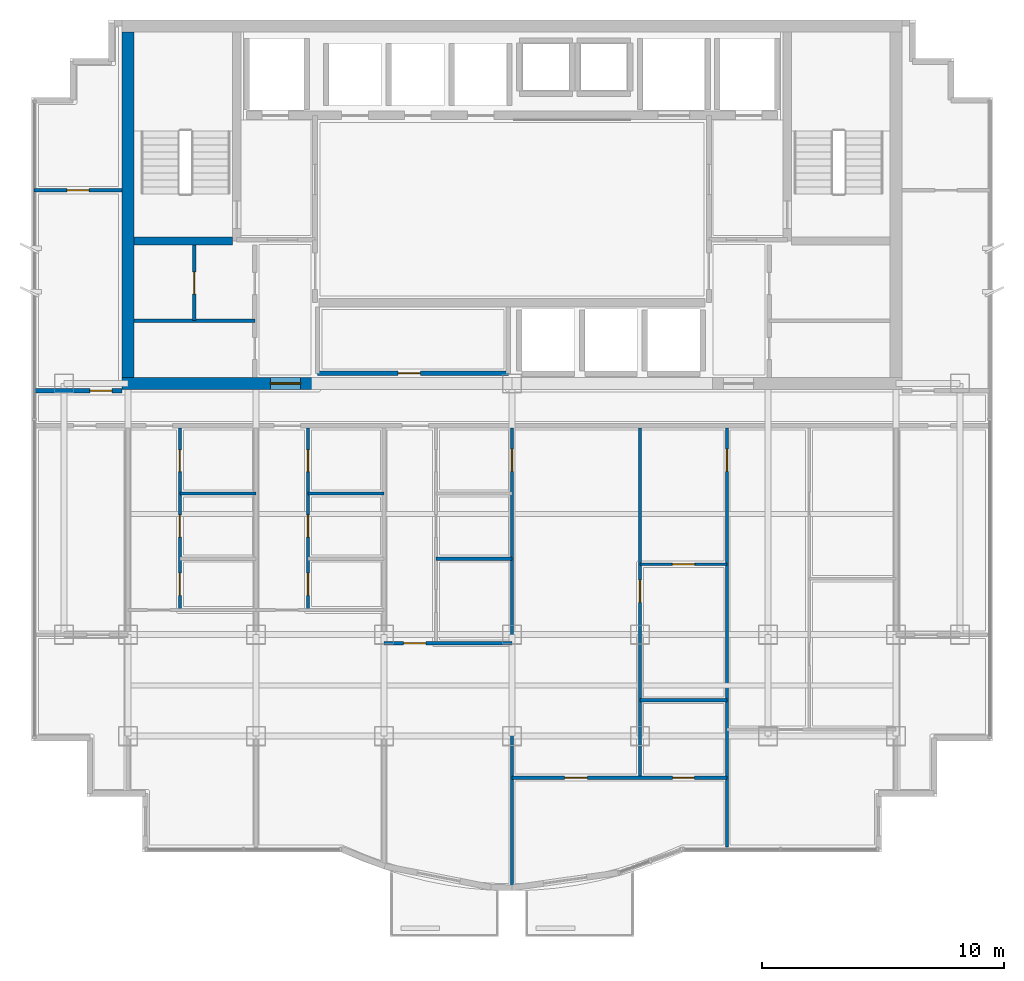
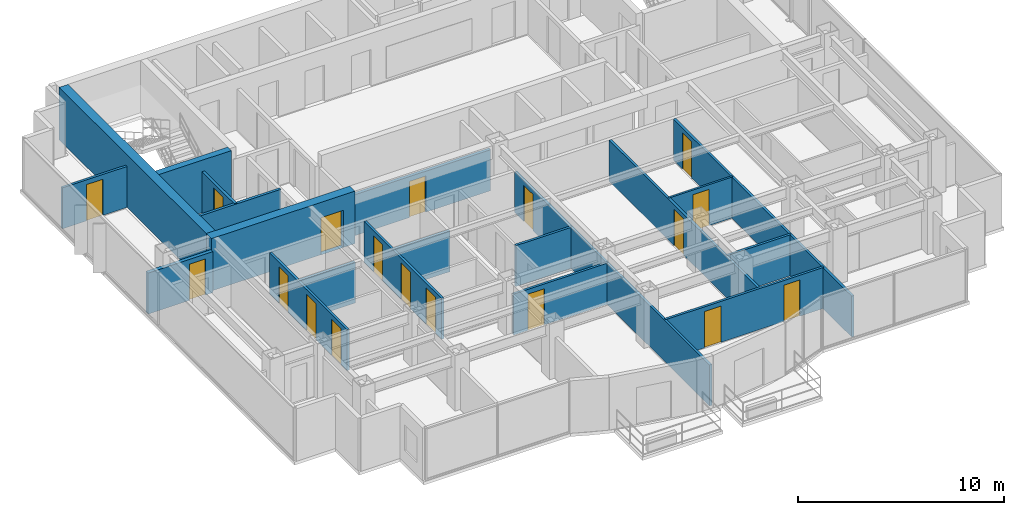
# One storey, part 7 of 12: 20 walls, 18 doors, 18 openings.
"""IFC4 building model written with IfcOpenShell, lengths in metres."""

import ifcopenshell
import ifcopenshell.guid

model = None  # the IFC model being written
_history = None  # IfcOwnerHistory: only IFC2X3 demands one
_inside = {}  # id of a spatial element -> (the spatial element, [elements in it])
_under = {}  # id of a project, library or spatial element -> (it, [spatial elements below it])
_declared = {}  # id of a project -> (the project, [libraries it declares])
_typed = {}  # id of a type object -> (the type object, [elements of that type])
_made_of = {}  # id of a material, layer set ... -> (it, [elements and type objects made of it])


def new_model(schema):
    """Start an empty IFC model of exactly this schema.

    Asked for "IFC4X3", IfcOpenShell would pick the latest addendum, in which some entities
    have other attributes; the version numbers below select the first issue.
    IFC2X3 requires an IfcOwnerHistory on every rooted entity: one is made here for all.
    """
    global model, _history
    if schema == "IFC4X3":
        model = ifcopenshell.file(schema_version=(4, 3, 0, 0))
    else:
        model = ifcopenshell.file(schema=schema)
    _inside.clear()
    _under.clear()
    _declared.clear()
    _typed.clear()
    _made_of.clear()
    _history = None
    if model.schema == "IFC2X3":
        org = make("IfcOrganization", Name="unknown")
        user = make(
            "IfcPersonAndOrganization",
            ThePerson=make("IfcPerson", FamilyName="unknown"),
            TheOrganization=org,
        )
        app = make(
            "IfcApplication",
            ApplicationDeveloper=org,
            Version="unknown",
            ApplicationFullName="unknown",
            ApplicationIdentifier="unknown",
        )
        _history = make(
            "IfcOwnerHistory",
            OwningUser=user,
            OwningApplication=app,
            ChangeAction="ADDED",
            CreationDate=0,
        )
    return model


def make(cls, **values):
    """One entity of the class cls with the attributes given. An attribute that is None is left unset."""
    return model.create_entity(
        cls, **{name: value for name, value in values.items() if value is not None}
    )


def rooted(cls, **values):
    """An entity with a GlobalId (a new one), such as an element, a storey or a relation."""
    return make(cls, GlobalId=ifcopenshell.guid.new(), OwnerHistory=_history, **values)


def si_unit(unit_type, name, prefix=None):
    """IfcSIUnit, for example si_unit("LENGTHUNIT", "METRE", prefix="MILLI")."""
    return make("IfcSIUnit", UnitType=unit_type, Prefix=prefix, Name=name)


def assignment(units):
    """IfcUnitAssignment: the units of a project."""
    return None if units is None else make("IfcUnitAssignment", Units=units)


def point(xyz):
    """IfcCartesianPoint."""
    return None if xyz is None else make("IfcCartesianPoint", Coordinates=xyz)


def direction(xyz):
    """IfcDirection."""
    return None if xyz is None else make("IfcDirection", DirectionRatios=xyz)


def frame(location, z_axis=None, x_axis=None):
    """IfcAxis2Placement3D, a coordinate frame: its origin and axes. An axis left out is left unset."""
    return make(
        "IfcAxis2Placement3D",
        Location=point(location),
        Axis=direction(z_axis),
        RefDirection=direction(x_axis),
    )


def frame_2d(location, x_axis=None):
    """IfcAxis2Placement2D, a coordinate frame in the plane: its origin and x axis."""
    return make(
        "IfcAxis2Placement2D", Location=point(location), RefDirection=direction(x_axis)
    )


def origin():
    """The frame at (0, 0, 0) with its axes left unset."""
    return frame((0.0, 0.0, 0.0))


def place(relative_to, where):
    """IfcLocalPlacement: puts the frame where relative to a parent placement (None: the world)."""
    return make(
        "IfcLocalPlacement", PlacementRelTo=relative_to, RelativePlacement=where
    )


def context(
    kind, dimensions, precision=None, world=None, true_north=None, identifier=None
):
    """IfcGeometricRepresentationContext, for example the 3D "Model" context."""
    return make(
        "IfcGeometricRepresentationContext",
        ContextIdentifier=identifier,
        ContextType=kind,
        CoordinateSpaceDimension=dimensions,
        Precision=precision,
        WorldCoordinateSystem=world,
        TrueNorth=true_north,
    )


def subcontext(parent, identifier, kind, view, scale=None):
    """IfcGeometricRepresentationSubContext, for example "Body" below "Model"."""
    return make(
        "IfcGeometricRepresentationSubContext",
        ContextIdentifier=identifier,
        ContextType=kind,
        ParentContext=parent,
        TargetScale=scale,
        TargetView=view,
    )


def project(units=None, contexts=None):
    """IfcProject with its units and contexts."""
    return rooted(
        "IfcProject",
        Name="project",
        RepresentationContexts=contexts,
        UnitsInContext=assignment(units),
    )


def spatial(cls, under=None, at=None, **own):
    """A site, building, storey or space (cls), placed at a placement, below another one or the project."""
    s = rooted(cls, ObjectPlacement=at, **own)
    if under is not None:
        _under.setdefault(under.id(), (under, []))[1].append(s)
    return s


def profile(cls, at=None, kind="AREA", **sizes):
    """A parametric profile (cls). Its sizes go by their IFC names, for example OverallWidth=200.0."""
    return make(cls, ProfileType=kind, Position=at, **sizes)


def rectangle(**sizes):
    """IfcRectangleProfileDef."""
    return profile("IfcRectangleProfileDef", **sizes)


def extrude(swept, where, along, depth):
    """IfcExtrudedAreaSolid: the profile swept, set in the frame where, extruded along a direction by depth."""
    return make(
        "IfcExtrudedAreaSolid",
        SweptArea=swept,
        Position=where,
        ExtrudedDirection=direction(along),
        Depth=depth,
    )


def shape(context_of_items, identifier, shape_type, items):
    """IfcShapeRepresentation: the items that make up one representation, for example the "Body"."""
    return make(
        "IfcShapeRepresentation",
        ContextOfItems=context_of_items,
        RepresentationIdentifier=identifier,
        RepresentationType=shape_type,
        Items=items,
    )


def material(Name=None, Category=None):
    """IfcMaterial."""
    return make("IfcMaterial", Name=Name, Category=Category)


def layer(
    of_material, thickness, ventilated=None, Name=None, Category=None, Priority=None
):
    """IfcMaterialLayer: one layer of a wall or slab, of a material (None: an air gap)."""
    return make(
        "IfcMaterialLayer",
        Material=of_material,
        LayerThickness=thickness,
        IsVentilated=ventilated,
        Name=Name,
        Category=Category,
        Priority=Priority,
    )


def layer_set(layers, Name=None):
    """IfcMaterialLayerSet."""
    return make("IfcMaterialLayerSet", MaterialLayers=layers, LayerSetName=Name)


def made_of(thing, what):
    """Note that an element or type object is made of a material, layer set ...; save() writes the relation."""
    if what is not None:
        _made_of.setdefault(what.id(), (what, []))[1].append(thing)
    return thing


def type_object(cls, material=None, **own):
    """A type object (cls), such as IfcWallType, which elements share."""
    return made_of(rooted(cls, **own), material)


def element(
    cls,
    number,
    at=None,
    inside=None,
    cuts=None,
    type_object=None,
    material=None,
    context=None,
    identifier="Body",
    shape_type=None,
    held_by="IfcProductDefinitionShape",
    body=None,
    shapes=None,
    **own,
):
    """One element of the class cls, such as IfcWall. Its Tag is "e" and its number.

    at: its placement. inside: the storey or other place that contains it. cuts: it is an
    opening in that element (IfcRelVoidsElement). A single representation is given by context,
    identifier, shape_type and body (its items); several are given by shapes. held_by: the class
    of the entity that holds the representations. save() writes the other relations.
    """
    e = rooted(cls, Tag="e%d" % number, ObjectPlacement=at, **own)
    if body is not None:
        shapes = [shape(context, identifier, shape_type, body)]
    if shapes is not None:
        e.Representation = make(held_by, Representations=shapes)
    if inside is not None:
        _inside.setdefault(inside.id(), (inside, []))[1].append(e)
    if cuts is not None:
        rooted(
            "IfcRelVoidsElement", RelatingBuildingElement=cuts, RelatedOpeningElement=e
        )
    if type_object is not None:
        _typed.setdefault(type_object.id(), (type_object, []))[1].append(e)
    return made_of(e, material)


def fill(opening, filler):
    """IfcRelFillsElement: the door or window that sits in an opening."""
    return rooted(
        "IfcRelFillsElement",
        RelatingOpeningElement=opening,
        RelatedBuildingElement=filler,
    )


def aggregate(whole, parts):
    """IfcRelAggregates: a whole, such as a stair, and the parts it consists of."""
    return rooted("IfcRelAggregates", RelatingObject=whole, RelatedObjects=parts)


def save(model, path):
    """Write the relations noted so far, then the file.

    IfcRelAggregates (storeys below a building ...), IfcRelContainedInSpatialStructure (elements
    in a storey), IfcRelDefinesByType, IfcRelAssociatesMaterial and IfcRelDeclares: one each for
    every whole, place, type object, material and project.
    """
    for whole, parts in _under.values():
        aggregate(whole, parts)
    for where, things in _inside.values():
        rooted(
            "IfcRelContainedInSpatialStructure",
            RelatedElements=things,
            RelatingStructure=where,
        )
    for kind, things in _typed.values():
        rooted("IfcRelDefinesByType", RelatedObjects=things, RelatingType=kind)
    for what, things in _made_of.values():
        rooted("IfcRelAssociatesMaterial", RelatedObjects=things, RelatingMaterial=what)
    for by, libraries in _declared.values():
        rooted("IfcRelDeclares", RelatingContext=by, RelatedDefinitions=libraries)
    model.write(path)


model = new_model("IFC4")

# Units and contexts
model_context = context("Model", 3, precision=1e-05, world=origin(), true_north=direction((0.0, 1.0)))
body_context = subcontext(model_context, "Body", "Model", "MODEL_VIEW")
ifc_project = project(units=[si_unit("LENGTHUNIT", "METRE"), si_unit("AREAUNIT", "SQUARE_METRE"), si_unit("VOLUMEUNIT", "CUBIC_METRE"), si_unit("PLANEANGLEUNIT", "RADIAN"), si_unit("MASSUNIT", "GRAM", prefix="KILO")], contexts=[model_context])

# Site, building, storey
site_placement = place(None, origin())
site = spatial("IfcSite", under=ifc_project, at=site_placement, CompositionType="ELEMENT")
building_placement = place(site_placement, origin())
building = spatial("IfcBuilding", under=site, at=building_placement, Name="Qianlan Lanfeng Residences", CompositionType="ELEMENT")
storey_placement = place(building_placement, frame((0.0, 0.0, 196.699951171875)))
storey = spatial("IfcBuildingStorey", under=building, at=storey_placement, Name="L53", CompositionType="ELEMENT", Elevation=196.699951171875)

# Walls
ifc_material_1 = material(Name="Concrete C49", Category="concrete")
ifc_layer_1 = layer(ifc_material_1, 0.35009765625)
ifc_layer_set_1 = layer_set([ifc_layer_1], Name="Concrete C49")
wall_type_1 = type_object("IfcWallType", Name="CW-RC-350", PredefinedType="SHEAR", material=ifc_layer_set_1)
wall_1_placement = place(storey_placement, frame((10.85009765625, 31.10009765625, 0.0), z_axis=(0.0, 0.0, 1.0), x_axis=(1.0, 0.0, 0.0)))
element("IfcWall", 1, at=wall_1_placement, inside=storey, type_object=wall_type_1, Name="L53 Core Shear Wall ST1S", PredefinedType="SHEAR", context=body_context, shape_type="SweptSolid", body=[
    extrude(rectangle(XDim=4.074951171875, YDim=0.35009765625, at=frame_2d((2.03759765625, 0.0))), origin(), (0.0, 0.0, 1.0), 3.110107421875),
])
ifc_material_2 = material(Name="Concrete C70", Category="concrete")
ifc_layer_2 = layer(ifc_material_2, 0.5)
ifc_layer_set_2 = layer_set([ifc_layer_2], Name="Concrete C70")
wall_type_2 = type_object("IfcWallType", Name="CW-RC-500", PredefinedType="SHEAR", material=ifc_layer_set_2)
wall_2_placement = place(storey_placement, frame((10.60009765625, 25.449951171875, 0.0), z_axis=(0.0, 0.0, 1.0), x_axis=(0.0, 1.0, 0.0)))
element("IfcWall", 2, at=wall_2_placement, inside=storey, type_object=wall_type_2, Name="L53 Core Shear Wall W", PredefinedType="SHEAR", context=body_context, shape_type="SweptSolid", body=[
    extrude(rectangle(XDim=14.300048828125, YDim=0.5, at=frame_2d((7.14990234375, 0.0))), origin(), (0.0, 0.0, 1.0), 3.110107421875),
])

# Wall, opening, door
wall_3_placement = place(storey_placement, frame((10.35009765625, 25.199951171875, 0.0), z_axis=(0.0, 0.0, 1.0), x_axis=(1.0, 0.0, 0.0)))
wall_3 = element("IfcWall", 3, at=wall_3_placement, inside=storey, type_object=wall_type_2, Name="L53 Core Shear Wall SW", PredefinedType="SHEAR", context=body_context, shape_type="SweptSolid", body=[
    extrude(rectangle(XDim=8.0498046875, YDim=0.5, at=frame_2d((4.02490234375, 0.0))), origin(), (0.0, 0.0, 1.0), 3.110107421875),
])
opening_1_placement = place(wall_3_placement, frame((6.14990234375, 0.0, 0.0)))
opening_1 = element("IfcOpeningElement", 4, at=opening_1_placement, cuts=wall_3, Name="Opening L53-D01", PredefinedType="OPENING", context=body_context, shape_type="SweptSolid", body=[
    extrude(rectangle(XDim=1.25, YDim=2.199951171875, at=frame_2d((0.625, 1.10009765625))), frame((0.0, 0.260009765625, 0.0), z_axis=(0.0, -1.0, 0.0), x_axis=(1.0, 0.0, 0.0)), (0.0, 0.0, 1.0), 0.52001953125),
])
ifc_material_3 = material(Name="Painted Galvanised Steel Fire Door", Category="steel")
door_type_1 = type_object("IfcDoorType", Name="DT-FFL", OperationType="NOTDEFINED", PredefinedType="DOOR", material=ifc_material_3)
door_1_placement = place(opening_1_placement, frame((1.25, 0.0, 0.0), z_axis=(0.0, 0.0, 1.0), x_axis=(-1.0, 0.0, 0.0)))
door_1 = element("IfcDoor", 5, at=door_1_placement, inside=storey, type_object=door_type_1, Name="L53 West Core Lobby Smoke Door L53-D01 (DT-FFL)", OperationType="SINGLE_SWING_RIGHT", OverallHeight=2.199951171875, OverallWidth=1.25, PredefinedType="DOOR", context=body_context, shape_type="SweptSolid", body=[
    extrude(rectangle(XDim=1.25, YDim=2.199951171875, at=frame_2d((0.625, 1.10009765625))), frame((0.0, 0.02490234375, 0.0), z_axis=(0.0, -1.0, 0.0), x_axis=(1.0, 0.0, 0.0)), (0.0, 0.0, 1.0), 0.050048828125),
])
fill(opening_1, door_1)

ifc_material_4 = material(Name="Demountable Acoustic Framing Partition 110 mm")
ifc_layer_3 = layer(ifc_material_4, 0.110107421875)
ifc_layer_set_3 = layer_set([ifc_layer_3], Name="Demountable Acoustic Framing Partition 110 mm")
wall_type_3 = type_object("IfcWallType", Name="PW-110", PredefinedType="MOVABLE", material=ifc_layer_set_3)
wall_4_placement = place(storey_placement, frame((31.800048828125, 17.716064453125, 0.0), z_axis=(0.0, 0.0, 1.0), x_axis=(1.0, 0.0, 0.0)))
wall_4 = element("IfcWall", 6, at=wall_4_placement, inside=storey, type_object=wall_type_3, Name="L53 U03 Wardrobe Split", PredefinedType="MOVABLE", context=body_context, shape_type="SweptSolid", body=[
    extrude(rectangle(XDim=3.599853515625, YDim=0.110107421875, at=frame_2d((1.7998046875, 0.0))), origin(), (0.0, 0.0, 1.0), 2.429931640625),
])
opening_2_placement = place(wall_4_placement, frame((1.340087890625, 0.0, 0.0)))
opening_2 = element("IfcOpeningElement", 7, at=opening_2_placement, cuts=wall_4, Name="Opening L53-D37", PredefinedType="OPENING", context=body_context, shape_type="SweptSolid", body=[
    extrude(rectangle(XDim=0.919921875, YDim=2.14990234375, at=frame_2d((0.4599609375, 1.074951171875))), frame((0.0, 0.06494140625, 0.0), z_axis=(0.0, -1.0, 0.0), x_axis=(1.0, 0.0, 0.0)), (0.0, 0.0, 1.0), 0.130126953125),
])
ifc_material_5 = material(Name="Glazed Timber Kitchen/Study Door", Category="wood")
door_type_2 = type_object("IfcDoorType", Name="DT-INT", OperationType="NOTDEFINED", PredefinedType="DOOR", material=ifc_material_5)
door_2_placement = place(opening_2_placement, origin())
door_2 = element("IfcDoor", 8, at=door_2_placement, inside=storey, type_object=door_type_2, Name="L53 U03 Dressing Inner Door L53-D37 (DT-INT)", OperationType="SINGLE_SWING_LEFT", OverallHeight=2.14990234375, OverallWidth=0.919921875, PredefinedType="DOOR", context=body_context, shape_type="SweptSolid", body=[
    extrude(rectangle(XDim=0.919921875, YDim=2.14990234375, at=frame_2d((0.4599609375, 1.074951171875))), frame((0.0, 0.02490234375, 0.0), z_axis=(0.0, -1.0, 0.0), x_axis=(1.0, 0.0, 0.0)), (0.0, 0.0, 1.0), 0.050048828125),
])
fill(opening_2, door_2)

# Wall, openings, doors
ifc_material_6 = material(Name="Moisture-Resistant Gypsum Partition 135 mm")
ifc_layer_4 = layer(ifc_material_6, 0.135009765625)
ifc_layer_set_4 = layer_set([ifc_layer_4], Name="Moisture-Resistant Gypsum Partition 135 mm")
wall_type_4 = type_object("IfcWallType", Name="PW-135", PredefinedType="PARTITIONING", material=ifc_layer_set_4)
wall_5_placement = place(storey_placement, frame((12.75, 15.820068359375, 0.0), z_axis=(0.0, 0.0, 1.0), x_axis=(0.0, 1.0, 0.0)))
wall_5 = element("IfcWall", 9, at=wall_5_placement, inside=storey, type_object=wall_type_4, Name="L53 U01 Entry Hall Spine", PredefinedType="PARTITIONING", context=body_context, shape_type="SweptSolid", body=[
    extrude(rectangle(XDim=7.530029296875, YDim=0.135009765625, at=frame_2d((3.76513671875, 0.0))), origin(), (0.0, 0.0, 1.0), 2.429931640625),
])
opening_3_placement = place(wall_5_placement, frame((0.60498046875, 0.0, 0.0)))
opening_3 = element("IfcOpeningElement", 10, at=opening_3_placement, cuts=wall_5, Name="Opening L53-D19", PredefinedType="OPENING", context=body_context, shape_type="SweptSolid", body=[
    extrude(rectangle(XDim=0.919921875, YDim=2.14990234375, at=frame_2d((0.4599609375, 1.074951171875))), frame((0.0, 0.07763671875, 0.0), z_axis=(0.0, -1.0, 0.0), x_axis=(1.0, 0.0, 0.0)), (0.0, 0.0, 1.0), 0.155029296875),
])
opening_4_placement = place(wall_5_placement, frame((3.02001953125, 0.0, 0.0)))
opening_4 = element("IfcOpeningElement", 11, at=opening_4_placement, cuts=wall_5, Name="Opening L53-D20", PredefinedType="OPENING", context=body_context, shape_type="SweptSolid", body=[
    extrude(rectangle(XDim=0.919921875, YDim=2.14990234375, at=frame_2d((0.4599609375, 1.074951171875))), frame((0.0, 0.07763671875, 0.0), z_axis=(0.0, -1.0, 0.0), x_axis=(1.0, 0.0, 0.0)), (0.0, 0.0, 1.0), 0.155029296875),
])
opening_5_placement = place(wall_5_placement, frame((5.72998046875, 0.0, 0.0)))
opening_5 = element("IfcOpeningElement", 12, at=opening_5_placement, cuts=wall_5, Name="Opening L53-D21", PredefinedType="OPENING", context=body_context, shape_type="SweptSolid", body=[
    extrude(rectangle(XDim=0.89990234375, YDim=2.14990234375, at=frame_2d((0.449951171875, 1.074951171875))), frame((0.0, 0.07763671875, 0.0), z_axis=(0.0, -1.0, 0.0), x_axis=(1.0, 0.0, 0.0)), (0.0, 0.0, 1.0), 0.155029296875),
])
door_3_placement = place(opening_3_placement, origin())
door_3 = element("IfcDoor", 13, at=door_3_placement, inside=storey, type_object=door_type_2, Name="L53 U01 Study Door L53-D19 (DT-INT)", OperationType="SINGLE_SWING_RIGHT", OverallHeight=2.14990234375, OverallWidth=0.919921875, PredefinedType="DOOR", context=body_context, shape_type="SweptSolid", body=[
    extrude(rectangle(XDim=0.919921875, YDim=2.14990234375, at=frame_2d((0.4599609375, 1.074951171875))), frame((0.0, 0.02490234375, 0.0), z_axis=(0.0, -1.0, 0.0), x_axis=(1.0, 0.0, 0.0)), (0.0, 0.0, 1.0), 0.050048828125),
])
fill(opening_3, door_3)
door_4_placement = place(opening_4_placement, origin())
door_4 = element("IfcDoor", 14, at=door_4_placement, inside=storey, type_object=door_type_2, Name="L53 U01 Kitchen Door L53-D20 (DT-INT)", OperationType="SINGLE_SWING_RIGHT", OverallHeight=2.14990234375, OverallWidth=0.919921875, PredefinedType="DOOR", context=body_context, shape_type="SweptSolid", body=[
    extrude(rectangle(XDim=0.919921875, YDim=2.14990234375, at=frame_2d((0.4599609375, 1.074951171875))), frame((0.0, 0.02490234375, 0.0), z_axis=(0.0, -1.0, 0.0), x_axis=(1.0, 0.0, 0.0)), (0.0, 0.0, 1.0), 0.050048828125),
])
fill(opening_4, door_4)
ifc_material_7 = material(Name="Moisture-Resistant Timber Leaf", Category="wood")
door_type_3 = type_object("IfcDoorType", Name="DT-WC", OperationType="NOTDEFINED", PredefinedType="DOOR", material=ifc_material_7)
door_5_placement = place(opening_5_placement, origin())
door_5 = element("IfcDoor", 15, at=door_5_placement, inside=storey, type_object=door_type_3, Name="L53 U01 Bathroom Door L53-D21 (DT-WC)", OperationType="SINGLE_SWING_LEFT", OverallHeight=2.14990234375, OverallWidth=0.89990234375, PredefinedType="DOOR", context=body_context, shape_type="SweptSolid", body=[
    extrude(rectangle(XDim=0.89990234375, YDim=2.14990234375, at=frame_2d((0.449951171875, 1.074951171875))), frame((0.0, 0.02490234375, 0.0), z_axis=(0.0, -1.0, 0.0), x_axis=(1.0, 0.0, 0.0)), (0.0, 0.0, 1.0), 0.050048828125),
])
fill(opening_5, door_5)

# Wall
wall_6_placement = place(storey_placement, frame((12.75, 20.64990234375, 0.0), z_axis=(0.0, 0.0, 1.0), x_axis=(1.0, 0.0, 0.0)))
element("IfcWall", 16, at=wall_6_placement, inside=storey, type_object=wall_type_4, Name="L53 U01 Bathroom South Wall", PredefinedType="PARTITIONING", context=body_context, shape_type="SweptSolid", body=[
    extrude(rectangle(XDim=3.14990234375, YDim=0.135009765625, at=frame_2d((1.574951171875, 0.0))), origin(), (0.0, 0.0, 1.0), 2.429931640625),
])

# Wall, openings, doors
wall_7_placement = place(storey_placement, frame((18.050048828125, 15.820068359375, 0.0), z_axis=(0.0, 0.0, 1.0), x_axis=(0.0, 1.0, 0.0)))
wall_7 = element("IfcWall", 17, at=wall_7_placement, inside=storey, type_object=wall_type_4, Name="L53 U02 Entry Hall Spine", PredefinedType="PARTITIONING", context=body_context, shape_type="SweptSolid", body=[
    extrude(rectangle(XDim=7.530029296875, YDim=0.135009765625, at=frame_2d((3.76513671875, 0.0))), origin(), (0.0, 0.0, 1.0), 2.429931640625),
])
opening_6_placement = place(wall_7_placement, frame((0.60498046875, 0.0, 0.0)))
opening_6 = element("IfcOpeningElement", 18, at=opening_6_placement, cuts=wall_7, Name="Opening L53-D24", PredefinedType="OPENING", context=body_context, shape_type="SweptSolid", body=[
    extrude(rectangle(XDim=0.919921875, YDim=2.14990234375, at=frame_2d((0.4599609375, 1.074951171875))), frame((0.0, 0.07763671875, 0.0), z_axis=(0.0, -1.0, 0.0), x_axis=(1.0, 0.0, 0.0)), (0.0, 0.0, 1.0), 0.155029296875),
])
opening_7_placement = place(wall_7_placement, frame((3.02001953125, 0.0, 0.0)))
opening_7 = element("IfcOpeningElement", 19, at=opening_7_placement, cuts=wall_7, Name="Opening L53-D25", PredefinedType="OPENING", context=body_context, shape_type="SweptSolid", body=[
    extrude(rectangle(XDim=0.919921875, YDim=2.14990234375, at=frame_2d((0.4599609375, 1.074951171875))), frame((0.0, 0.07763671875, 0.0), z_axis=(0.0, -1.0, 0.0), x_axis=(1.0, 0.0, 0.0)), (0.0, 0.0, 1.0), 0.155029296875),
])
opening_8_placement = place(wall_7_placement, frame((5.72998046875, 0.0, 0.0)))
opening_8 = element("IfcOpeningElement", 20, at=opening_8_placement, cuts=wall_7, Name="Opening L53-D26", PredefinedType="OPENING", context=body_context, shape_type="SweptSolid", body=[
    extrude(rectangle(XDim=0.89990234375, YDim=2.14990234375, at=frame_2d((0.449951171875, 1.074951171875))), frame((0.0, 0.07763671875, 0.0), z_axis=(0.0, -1.0, 0.0), x_axis=(1.0, 0.0, 0.0)), (0.0, 0.0, 1.0), 0.155029296875),
])
door_6_placement = place(opening_6_placement, origin())
door_6 = element("IfcDoor", 21, at=door_6_placement, inside=storey, type_object=door_type_2, Name="L53 U02 Study Door L53-D24 (DT-INT)", OperationType="SINGLE_SWING_RIGHT", OverallHeight=2.14990234375, OverallWidth=0.919921875, PredefinedType="DOOR", context=body_context, shape_type="SweptSolid", body=[
    extrude(rectangle(XDim=0.919921875, YDim=2.14990234375, at=frame_2d((0.4599609375, 1.074951171875))), frame((0.0, 0.02490234375, 0.0), z_axis=(0.0, -1.0, 0.0), x_axis=(1.0, 0.0, 0.0)), (0.0, 0.0, 1.0), 0.050048828125),
])
fill(opening_6, door_6)
door_7_placement = place(opening_7_placement, origin())
door_7 = element("IfcDoor", 22, at=door_7_placement, inside=storey, type_object=door_type_2, Name="L53 U02 Kitchen Door L53-D25 (DT-INT)", OperationType="SINGLE_SWING_LEFT", OverallHeight=2.14990234375, OverallWidth=0.919921875, PredefinedType="DOOR", context=body_context, shape_type="SweptSolid", body=[
    extrude(rectangle(XDim=0.919921875, YDim=2.14990234375, at=frame_2d((0.4599609375, 1.074951171875))), frame((0.0, 0.02490234375, 0.0), z_axis=(0.0, -1.0, 0.0), x_axis=(1.0, 0.0, 0.0)), (0.0, 0.0, 1.0), 0.050048828125),
])
fill(opening_7, door_7)
door_8_placement = place(opening_8_placement, origin())
door_8 = element("IfcDoor", 23, at=door_8_placement, inside=storey, type_object=door_type_3, Name="L53 U02 Bathroom Door L53-D26 (DT-WC)", OperationType="SINGLE_SWING_RIGHT", OverallHeight=2.14990234375, OverallWidth=0.89990234375, PredefinedType="DOOR", context=body_context, shape_type="SweptSolid", body=[
    extrude(rectangle(XDim=0.89990234375, YDim=2.14990234375, at=frame_2d((0.449951171875, 1.074951171875))), frame((0.0, 0.02490234375, 0.0), z_axis=(0.0, -1.0, 0.0), x_axis=(1.0, 0.0, 0.0)), (0.0, 0.0, 1.0), 0.050048828125),
])
fill(opening_8, door_8)

# Wall
wall_8_placement = place(storey_placement, frame((18.050048828125, 20.64990234375, 0.0), z_axis=(0.0, 0.0, 1.0), x_axis=(1.0, 0.0, 0.0)))
element("IfcWall", 24, at=wall_8_placement, inside=storey, type_object=wall_type_4, Name="L53 U02 Bathroom South Wall", PredefinedType="PARTITIONING", context=body_context, shape_type="SweptSolid", body=[
    extrude(rectangle(XDim=3.14990234375, YDim=0.135009765625, at=frame_2d((1.574951171875, 0.0))), origin(), (0.0, 0.0, 1.0), 2.429931640625),
])

# Wall, opening, door
wall_9_placement = place(storey_placement, frame((26.5, 4.419921875, 0.0), z_axis=(0.0, 0.0, 1.0), x_axis=(0.0, 1.0, 0.0)))
wall_9 = element("IfcWall", 25, at=wall_9_placement, inside=storey, type_object=wall_type_4, Name="L53 U03 Bay Spine Wall 1", PredefinedType="PARTITIONING", context=body_context, shape_type="SweptSolid", body=[
    extrude(rectangle(XDim=18.93017578125, YDim=0.135009765625, at=frame_2d((9.465087890625, 0.0))), origin(), (0.0, 0.0, 1.0), 2.429931640625),
])
opening_9_placement = place(wall_9_placement, frame((17.14501953125, 0.0, 0.0)))
opening_9 = element("IfcOpeningElement", 26, at=opening_9_placement, cuts=wall_9, Name="Opening L53-D28", PredefinedType="OPENING", context=body_context, shape_type="SweptSolid", body=[
    extrude(rectangle(XDim=0.919921875, YDim=2.14990234375, at=frame_2d((0.4599609375, 1.074951171875))), frame((0.0, 0.07763671875, 0.0), z_axis=(0.0, -1.0, 0.0), x_axis=(1.0, 0.0, 0.0)), (0.0, 0.0, 1.0), 0.155029296875),
])
door_9_placement = place(opening_9_placement, origin())
door_9 = element("IfcDoor", 27, at=door_9_placement, inside=storey, type_object=door_type_2, Name="L53 U03 Internal Hall Door L53-D28 (DT-INT)", OperationType="SINGLE_SWING_RIGHT", OverallHeight=2.14990234375, OverallWidth=0.919921875, PredefinedType="DOOR", context=body_context, shape_type="SweptSolid", body=[
    extrude(rectangle(XDim=0.919921875, YDim=2.14990234375, at=frame_2d((0.4599609375, 1.074951171875))), frame((0.0, 0.02490234375, 0.0), z_axis=(0.0, -1.0, 0.0), x_axis=(1.0, 0.0, 0.0)), (0.0, 0.0, 1.0), 0.050048828125),
])
fill(opening_9, door_9)

wall_10_placement = place(storey_placement, frame((35.39990234375, 6.02001953125, 0.0), z_axis=(0.0, 0.0, 1.0), x_axis=(0.0, 1.0, 0.0)))
wall_10 = element("IfcWall", 28, at=wall_10_placement, inside=storey, type_object=wall_type_4, Name="L53 U03 Bay Spine Wall 2", PredefinedType="PARTITIONING", context=body_context, shape_type="SweptSolid", body=[
    extrude(rectangle(XDim=17.330078125, YDim=0.135009765625, at=frame_2d((8.6650390625, 0.0))), origin(), (0.0, 0.0, 1.0), 2.429931640625),
])
opening_10_placement = place(wall_10_placement, frame((15.544921875, 0.0, 0.0)))
opening_10 = element("IfcOpeningElement", 29, at=opening_10_placement, cuts=wall_10, Name="Opening L53-D29", PredefinedType="OPENING", context=body_context, shape_type="SweptSolid", body=[
    extrude(rectangle(XDim=0.919921875, YDim=2.14990234375, at=frame_2d((0.4599609375, 1.074951171875))), frame((0.0, 0.07763671875, 0.0), z_axis=(0.0, -1.0, 0.0), x_axis=(1.0, 0.0, 0.0)), (0.0, 0.0, 1.0), 0.155029296875),
])
door_10_placement = place(opening_10_placement, origin())
door_10 = element("IfcDoor", 30, at=door_10_placement, inside=storey, type_object=door_type_2, Name="L53 U03 Internal Hall Door L53-D29 (DT-INT)", OperationType="SINGLE_SWING_LEFT", OverallHeight=2.14990234375, OverallWidth=0.919921875, PredefinedType="DOOR", context=body_context, shape_type="SweptSolid", body=[
    extrude(rectangle(XDim=0.919921875, YDim=2.14990234375, at=frame_2d((0.4599609375, 1.074951171875))), frame((0.0, 0.02490234375, 0.0), z_axis=(0.0, -1.0, 0.0), x_axis=(1.0, 0.0, 0.0)), (0.0, 0.0, 1.0), 0.050048828125),
])
fill(opening_10, door_10)

wall_11_placement = place(storey_placement, frame((21.199951171875, 14.447998046875, 0.0), z_axis=(0.0, 0.0, 1.0), x_axis=(1.0, 0.0, 0.0)))
wall_11 = element("IfcWall", 31, at=wall_11_placement, inside=storey, type_object=wall_type_4, Name="L53 U03 Living Divider", PredefinedType="PARTITIONING", context=body_context, shape_type="SweptSolid", body=[
    extrude(rectangle(XDim=5.300048828125, YDim=0.135009765625, at=frame_2d((2.64990234375, 0.0))), origin(), (0.0, 0.0, 1.0), 2.429931640625),
])
opening_11_placement = place(wall_11_placement, frame((0.81494140625, 0.0, 0.0)))
opening_11 = element("IfcOpeningElement", 32, at=opening_11_placement, cuts=wall_11, Name="Opening L53-D30", PredefinedType="OPENING", context=body_context, shape_type="SweptSolid", body=[
    extrude(rectangle(XDim=0.919921875, YDim=2.14990234375, at=frame_2d((0.4599609375, 1.074951171875))), frame((0.0, 0.07763671875, 0.0), z_axis=(0.0, -1.0, 0.0), x_axis=(1.0, 0.0, 0.0)), (0.0, 0.0, 1.0), 0.155029296875),
])
door_11_placement = place(opening_11_placement, frame((0.919921875, 0.0, 0.0), z_axis=(0.0, 0.0, 1.0), x_axis=(-1.0, 0.0, 0.0)))
door_11 = element("IfcDoor", 33, at=door_11_placement, inside=storey, type_object=door_type_2, Name="L53 U03 Living Passage Door L53-D30 (DT-INT)", OperationType="SINGLE_SWING_LEFT", OverallHeight=2.14990234375, OverallWidth=0.919921875, PredefinedType="DOOR", context=body_context, shape_type="SweptSolid", body=[
    extrude(rectangle(XDim=0.919921875, YDim=2.14990234375, at=frame_2d((0.4599609375, 1.074951171875))), frame((0.0, 0.02490234375, 0.0), z_axis=(0.0, -1.0, 0.0), x_axis=(1.0, 0.0, 0.0)), (0.0, 0.0, 1.0), 0.050048828125),
])
fill(opening_11, door_11)

# Wall
wall_12_placement = place(storey_placement, frame((23.35009765625, 17.949951171875, 0.0), z_axis=(0.0, 0.0, 1.0), x_axis=(1.0, 0.0, 0.0)))
element("IfcWall", 34, at=wall_12_placement, inside=storey, type_object=wall_type_4, Name="L53 U03 Kitchen South Wall", PredefinedType="PARTITIONING", context=body_context, shape_type="SweptSolid", body=[
    extrude(rectangle(XDim=3.14990234375, YDim=0.135009765625, at=frame_2d((1.574951171875, 0.0))), origin(), (0.0, 0.0, 1.0), 2.429931640625),
])

# Wall, openings, doors
wall_13_placement = place(storey_placement, frame((26.5, 8.883056640625, 0.0), z_axis=(0.0, 0.0, 1.0), x_axis=(1.0, 0.0, 0.0)))
wall_13 = element("IfcWall", 35, at=wall_13_placement, inside=storey, type_object=wall_type_4, Name="L53 U03 Master Bedroom North Wall", PredefinedType="PARTITIONING", context=body_context, shape_type="SweptSolid", body=[
    extrude(rectangle(XDim=8.89990234375, YDim=0.135009765625, at=frame_2d((4.449951171875, 0.0))), origin(), (0.0, 0.0, 1.0), 2.429931640625),
])
opening_12_placement = place(wall_13_placement, frame((2.175048828125, 0.0, 0.0)))
opening_12 = element("IfcOpeningElement", 36, at=opening_12_placement, cuts=wall_13, Name="Opening L53-D34", PredefinedType="OPENING", context=body_context, shape_type="SweptSolid", body=[
    extrude(rectangle(XDim=0.949951171875, YDim=2.14990234375, at=frame_2d((0.47509765625, 1.074951171875))), frame((0.0, 0.07763671875, 0.0), z_axis=(0.0, -1.0, 0.0), x_axis=(1.0, 0.0, 0.0)), (0.0, 0.0, 1.0), 0.155029296875),
])
opening_13_placement = place(wall_13_placement, frame((6.64990234375, 0.0, 0.0)))
opening_13 = element("IfcOpeningElement", 37, at=opening_13_placement, cuts=wall_13, Name="Opening L53-D35", PredefinedType="OPENING", context=body_context, shape_type="SweptSolid", body=[
    extrude(rectangle(XDim=0.89990234375, YDim=2.14990234375, at=frame_2d((0.449951171875, 1.074951171875))), frame((0.0, 0.07763671875, 0.0), z_axis=(0.0, -1.0, 0.0), x_axis=(1.0, 0.0, 0.0)), (0.0, 0.0, 1.0), 0.155029296875),
])
ifc_material_8 = material(Name="Painted Solid-Core Timber Leaf", Category="wood")
door_type_4 = type_object("IfcDoorType", Name="DT-BED", OperationType="NOTDEFINED", PredefinedType="DOOR", material=ifc_material_8)
door_12_placement = place(opening_12_placement, origin())
door_12 = element("IfcDoor", 38, at=door_12_placement, inside=storey, type_object=door_type_4, Name="L53 U03 Master Bedroom Door L53-D34 (DT-BED)", OperationType="SINGLE_SWING_RIGHT", OverallHeight=2.14990234375, OverallWidth=0.949951171875, PredefinedType="DOOR", context=body_context, shape_type="SweptSolid", body=[
    extrude(rectangle(XDim=0.949951171875, YDim=2.14990234375, at=frame_2d((0.47509765625, 1.074951171875))), frame((0.0, 0.02490234375, 0.0), z_axis=(0.0, -1.0, 0.0), x_axis=(1.0, 0.0, 0.0)), (0.0, 0.0, 1.0), 0.050048828125),
])
fill(opening_12, door_12)
door_13_placement = place(opening_13_placement, origin())
door_13 = element("IfcDoor", 39, at=door_13_placement, inside=storey, type_object=door_type_3, Name="L53 U03 En-Suite Bathroom Door L53-D35 (DT-WC)", OperationType="SINGLE_SWING_LEFT", OverallHeight=2.14990234375, OverallWidth=0.89990234375, PredefinedType="DOOR", context=body_context, shape_type="SweptSolid", body=[
    extrude(rectangle(XDim=0.89990234375, YDim=2.14990234375, at=frame_2d((0.449951171875, 1.074951171875))), frame((0.0, 0.02490234375, 0.0), z_axis=(0.0, -1.0, 0.0), x_axis=(1.0, 0.0, 0.0)), (0.0, 0.0, 1.0), 0.050048828125),
])
fill(opening_13, door_13)

# Wall, opening, door
wall_14_placement = place(storey_placement, frame((31.800048828125, 8.883056640625, 0.0), z_axis=(0.0, 0.0, 1.0), x_axis=(0.0, 1.0, 0.0)))
wall_14 = element("IfcWall", 40, at=wall_14_placement, inside=storey, type_object=wall_type_4, Name="L53 U03 Master Passage Wall", PredefinedType="PARTITIONING", context=body_context, shape_type="SweptSolid", body=[
    extrude(rectangle(XDim=14.467041015625, YDim=0.135009765625, at=frame_2d((7.2333984375, 0.0))), origin(), (0.0, 0.0, 1.0), 2.429931640625),
])
opening_14_placement = place(wall_14_placement, frame((7.256103515625, 0.0, 0.0)))
opening_14 = element("IfcOpeningElement", 41, at=opening_14_placement, cuts=wall_14, Name="Opening L53-D36", PredefinedType="OPENING", context=body_context, shape_type="SweptSolid", body=[
    extrude(rectangle(XDim=0.919921875, YDim=2.14990234375, at=frame_2d((0.4599609375, 1.074951171875))), frame((0.0, 0.07763671875, 0.0), z_axis=(0.0, -1.0, 0.0), x_axis=(1.0, 0.0, 0.0)), (0.0, 0.0, 1.0), 0.155029296875),
])
door_14_placement = place(opening_14_placement, origin())
door_14 = element("IfcDoor", 42, at=door_14_placement, inside=storey, type_object=door_type_2, Name="L53 U03 Wardrobe Door L53-D36 (DT-INT)", OperationType="SINGLE_SWING_LEFT", OverallHeight=2.14990234375, OverallWidth=0.919921875, PredefinedType="DOOR", context=body_context, shape_type="SweptSolid", body=[
    extrude(rectangle(XDim=0.919921875, YDim=2.14990234375, at=frame_2d((0.4599609375, 1.074951171875))), frame((0.0, 0.02490234375, 0.0), z_axis=(0.0, -1.0, 0.0), x_axis=(1.0, 0.0, 0.0)), (0.0, 0.0, 1.0), 0.050048828125),
])
fill(opening_14, door_14)

# Wall
wall_15_placement = place(storey_placement, frame((31.800048828125, 12.0830078125, 0.0), z_axis=(0.0, 0.0, 1.0), x_axis=(1.0, 0.0, 0.0)))
element("IfcWall", 43, at=wall_15_placement, inside=storey, type_object=wall_type_4, Name="L53 U03 En-Suite North Wall", PredefinedType="PARTITIONING", context=body_context, shape_type="SweptSolid", body=[
    extrude(rectangle(XDim=3.599853515625, YDim=0.135009765625, at=frame_2d((1.7998046875, 0.0))), origin(), (0.0, 0.0, 1.0), 2.429931640625),
])

# Wall, opening, door
wall_16_placement = place(storey_placement, frame((6.719970703125, 33.199951171875, 0.0), z_axis=(0.0, 0.0, 1.0), x_axis=(1.0, 0.0, 0.0)))
wall_16 = element("IfcWall", 44, at=wall_16_placement, inside=storey, type_object=wall_type_4, Name="L53 WW North Wing Wall", PredefinedType="PARTITIONING", context=body_context, shape_type="SweptSolid", body=[
    extrude(rectangle(XDim=3.630126953125, YDim=0.135009765625, at=frame_2d((1.81494140625, 0.0))), origin(), (0.0, 0.0, 1.0), 2.429931640625),
])
opening_15_placement = place(wall_16_placement, frame((1.35498046875, 0.0, 0.0)))
opening_15 = element("IfcOpeningElement", 45, at=opening_15_placement, cuts=wall_16, Name="Opening L53-D45", PredefinedType="OPENING", context=body_context, shape_type="SweptSolid", body=[
    extrude(rectangle(XDim=0.919921875, YDim=2.14990234375, at=frame_2d((0.4599609375, 1.074951171875))), frame((0.0, 0.07763671875, 0.0), z_axis=(0.0, -1.0, 0.0), x_axis=(1.0, 0.0, 0.0)), (0.0, 0.0, 1.0), 0.155029296875),
])
door_15_placement = place(opening_15_placement, origin())
door_15 = element("IfcDoor", 46, at=door_15_placement, inside=storey, type_object=door_type_2, Name="L53 WW Inner Salon Door L53-D45 (DT-INT)", OperationType="SINGLE_SWING_LEFT", OverallHeight=2.14990234375, OverallWidth=0.919921875, PredefinedType="DOOR", context=body_context, shape_type="SweptSolid", body=[
    extrude(rectangle(XDim=0.919921875, YDim=2.14990234375, at=frame_2d((0.4599609375, 1.074951171875))), frame((0.0, 0.02490234375, 0.0), z_axis=(0.0, -1.0, 0.0), x_axis=(1.0, 0.0, 0.0)), (0.0, 0.0, 1.0), 0.050048828125),
])
fill(opening_15, door_15)

# Wall
ifc_material_9 = material(Name="Acoustic Drywall Partition 150 mm")
ifc_layer_5 = layer(ifc_material_9, 0.14990234375)
ifc_layer_set_5 = layer_set([ifc_layer_5], Name="Acoustic Drywall Partition 150 mm")
wall_type_5 = type_object("IfcWallType", Name="PW-150", PredefinedType="PARTITIONING", material=ifc_layer_set_5)
wall_17_placement = place(storey_placement, frame((10.85009765625, 27.800048828125, 0.0), z_axis=(0.0, 0.0, 1.0), x_axis=(1.0, 0.0, 0.0)))
element("IfcWall", 47, at=wall_17_placement, inside=storey, type_object=wall_type_5, Name="L53 Core West H4", PredefinedType="PARTITIONING", context=body_context, shape_type="SweptSolid", body=[
    extrude(rectangle(XDim=5.0, YDim=0.14990234375, at=frame_2d((2.5, 0.0))), origin(), (0.0, 0.0, 1.0), 2.429931640625),
])

# Wall, opening, door
wall_18_placement = place(storey_placement, frame((13.35009765625, 27.800048828125, 0.0), z_axis=(0.0, 0.0, 1.0), x_axis=(0.0, 1.0, 0.0)))
wall_18 = element("IfcWall", 48, at=wall_18_placement, inside=storey, type_object=wall_type_5, Name="L53 Core West V4", PredefinedType="PARTITIONING", context=body_context, shape_type="SweptSolid", body=[
    extrude(rectangle(XDim=3.125, YDim=0.14990234375, at=frame_2d((1.5625, 0.0))), origin(), (0.0, 0.0, 1.0), 2.429931640625),
])
opening_16_placement = place(wall_18_placement, frame((1.10302734375, 0.0, 0.0)))
opening_16 = element("IfcOpeningElement", 49, at=opening_16_placement, cuts=wall_18, Name="Opening L53-D11", PredefinedType="OPENING", context=body_context, shape_type="SweptSolid", body=[
    extrude(rectangle(XDim=0.919921875, YDim=2.14990234375, at=frame_2d((0.4599609375, 1.074951171875))), frame((0.0, 0.0849609375, 0.0), z_axis=(0.0, -1.0, 0.0), x_axis=(1.0, 0.0, 0.0)), (0.0, 0.0, 1.0), 0.169921875),
])
door_16_placement = place(opening_16_placement, origin())
door_16 = element("IfcDoor", 50, at=door_16_placement, inside=storey, type_object=door_type_2, Name="L53 Linen Store Door L53-D11 (DT-INT)", OperationType="SINGLE_SWING_LEFT", OverallHeight=2.14990234375, OverallWidth=0.919921875, PredefinedType="DOOR", context=body_context, shape_type="SweptSolid", body=[
    extrude(rectangle(XDim=0.919921875, YDim=2.14990234375, at=frame_2d((0.4599609375, 1.074951171875))), frame((0.0, 0.02490234375, 0.0), z_axis=(0.0, -1.0, 0.0), x_axis=(1.0, 0.0, 0.0)), (0.0, 0.0, 1.0), 0.050048828125),
])
fill(opening_16, door_16)

ifc_material_10 = material(Name="Double-Layer Acoustic Gypsum Stud Wall 180 mm")
ifc_layer_6 = layer(ifc_material_10, 0.179931640625)
ifc_layer_set_6 = layer_set([ifc_layer_6], Name="Double-Layer Acoustic Gypsum Stud Wall 180 mm")
wall_type_6 = type_object("IfcWallType", Name="PW-180", PredefinedType="PARTITIONING", material=ifc_layer_set_6)
wall_19_placement = place(storey_placement, frame((18.449951171875, 25.6201171875, 0.0), z_axis=(0.0, 0.0, 1.0), x_axis=(1.0, 0.0, 0.0)))
wall_19 = element("IfcWall", 51, at=wall_19_placement, inside=storey, type_object=wall_type_6, Name="L53 Reclaimed Low-Bank Room South Wall", PredefinedType="PARTITIONING", context=body_context, shape_type="SweptSolid", body=[
    extrude(rectangle(XDim=7.900146484375, YDim=0.179931640625, at=frame_2d((3.9501953125, 0.0))), origin(), (0.0, 0.0, 1.0), 2.429931640625),
])
opening_17_placement = place(wall_19_placement, frame((3.340087890625, 0.0, 0.0)))
opening_17 = element("IfcOpeningElement", 52, at=opening_17_placement, cuts=wall_19, Name="Opening L53-D16", PredefinedType="OPENING", context=body_context, shape_type="SweptSolid", body=[
    extrude(rectangle(XDim=0.919921875, YDim=2.14990234375, at=frame_2d((0.4599609375, 1.074951171875))), frame((0.0, 0.10009765625, 0.0), z_axis=(0.0, -1.0, 0.0), x_axis=(1.0, 0.0, 0.0)), (0.0, 0.0, 1.0), 0.199951171875),
])
door_17_placement = place(opening_17_placement, origin())
door_17 = element("IfcDoor", 53, at=door_17_placement, inside=storey, type_object=door_type_2, Name="L53 Reclaimed Core Salon Door L53-D16 (DT-INT)", OperationType="SINGLE_SWING_RIGHT", OverallHeight=2.14990234375, OverallWidth=0.919921875, PredefinedType="DOOR", context=body_context, shape_type="SweptSolid", body=[
    extrude(rectangle(XDim=0.919921875, YDim=2.14990234375, at=frame_2d((0.4599609375, 1.074951171875))), frame((0.0, 0.02490234375, 0.0), z_axis=(0.0, -1.0, 0.0), x_axis=(1.0, 0.0, 0.0)), (0.0, 0.0, 1.0), 0.050048828125),
])
fill(opening_17, door_17)

ifc_material_11 = material(Name="Autoclaved Aerated Concrete Blockwork 200 mm", Category="masonry")
ifc_layer_7 = layer(ifc_material_11, 0.199951171875)
ifc_layer_set_7 = layer_set([ifc_layer_7], Name="Autoclaved Aerated Concrete Blockwork 200 mm")
wall_type_7 = type_object("IfcWallType", Name="PW-200", PredefinedType="PARTITIONING", material=ifc_layer_set_7)
wall_20_placement = place(storey_placement, frame((6.719970703125, 24.89990234375, 0.0), z_axis=(0.0, 0.0, 1.0), x_axis=(1.0, 0.0, 0.0)))
wall_20 = element("IfcWall", 54, at=wall_20_placement, inside=storey, type_object=wall_type_7, Name="L53 Corridor NW Wall", PredefinedType="PARTITIONING", context=body_context, shape_type="SweptSolid", body=[
    extrude(rectangle(XDim=3.630126953125, YDim=0.199951171875, at=frame_2d((1.81494140625, 0.0))), origin(), (0.0, 0.0, 1.0), 2.429931640625),
])
opening_18_placement = place(wall_20_placement, frame((2.304931640625, 0.0, 0.0)))
opening_18 = element("IfcOpeningElement", 55, at=opening_18_placement, cuts=wall_20, Name="Opening L53-D46", PredefinedType="OPENING", context=body_context, shape_type="SweptSolid", body=[
    extrude(rectangle(XDim=0.919921875, YDim=2.14990234375, at=frame_2d((0.4599609375, 1.074951171875))), frame((0.0, 0.10986328125, 0.0), z_axis=(0.0, -1.0, 0.0), x_axis=(1.0, 0.0, 0.0)), (0.0, 0.0, 1.0), 0.219970703125),
])
door_18_placement = place(opening_18_placement, frame((0.919921875, 0.0, 0.0), z_axis=(0.0, 0.0, 1.0), x_axis=(-1.0, 0.0, 0.0)))
door_18 = element("IfcDoor", 56, at=door_18_placement, inside=storey, type_object=door_type_2, Name="L53 WW Amenity Salon Door L53-D46 (DT-INT)", OperationType="SINGLE_SWING_LEFT", OverallHeight=2.14990234375, OverallWidth=0.919921875, PredefinedType="DOOR", context=body_context, shape_type="SweptSolid", body=[
    extrude(rectangle(XDim=0.919921875, YDim=2.14990234375, at=frame_2d((0.4599609375, 1.074951171875))), frame((0.0, 0.02490234375, 0.0), z_axis=(0.0, -1.0, 0.0), x_axis=(1.0, 0.0, 0.0)), (0.0, 0.0, 1.0), 0.050048828125),
])
fill(opening_18, door_18)

save(model, "model.ifc")
